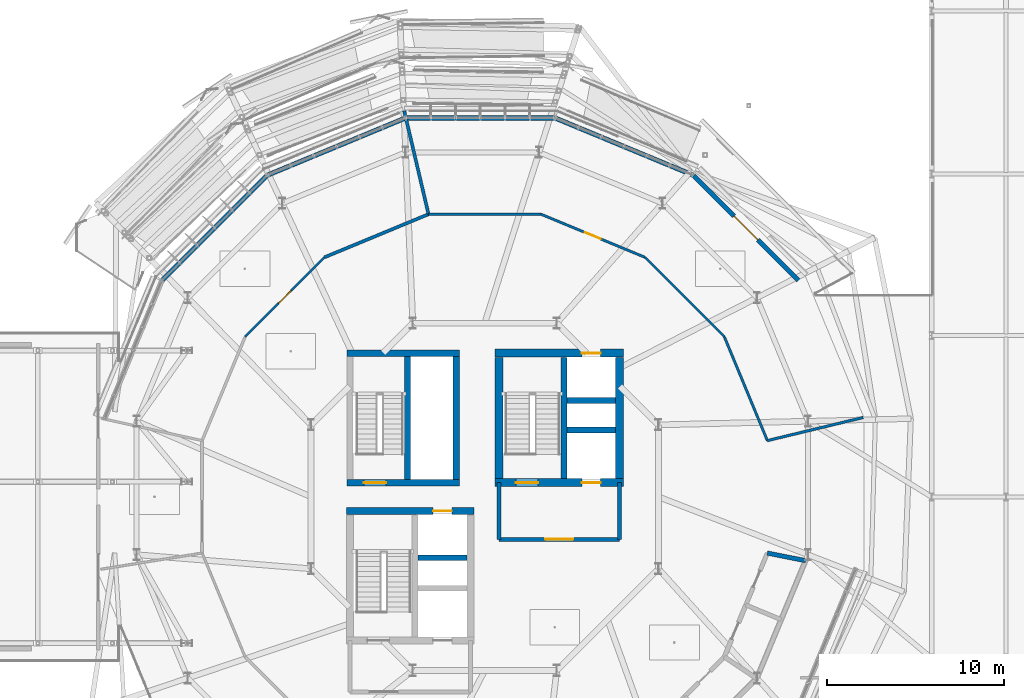
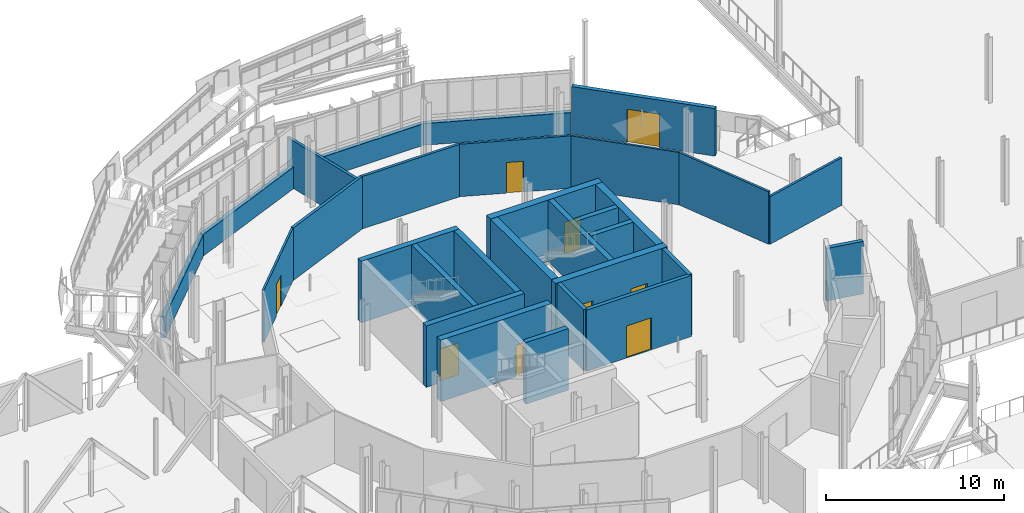
# One storey, part 105 of 139: 30 walls, 9 doors, 9 openings.
"""IFC4 building model written with IfcOpenShell, lengths in metres."""

import ifcopenshell
import ifcopenshell.guid

model = None  # the IFC model being written
_history = None  # IfcOwnerHistory: only IFC2X3 demands one
_inside = {}  # id of a spatial element -> (the spatial element, [elements in it])
_under = {}  # id of a project, library or spatial element -> (it, [spatial elements below it])
_declared = {}  # id of a project -> (the project, [libraries it declares])
_typed = {}  # id of a type object -> (the type object, [elements of that type])
_made_of = {}  # id of a material, layer set ... -> (it, [elements and type objects made of it])


def new_model(schema):
    """Start an empty IFC model of exactly this schema.

    Asked for "IFC4X3", IfcOpenShell would pick the latest addendum, in which some entities
    have other attributes; the version numbers below select the first issue.
    IFC2X3 requires an IfcOwnerHistory on every rooted entity: one is made here for all.
    """
    global model, _history
    if schema == "IFC4X3":
        model = ifcopenshell.file(schema_version=(4, 3, 0, 0))
    else:
        model = ifcopenshell.file(schema=schema)
    _inside.clear()
    _under.clear()
    _declared.clear()
    _typed.clear()
    _made_of.clear()
    _history = None
    if model.schema == "IFC2X3":
        org = make("IfcOrganization", Name="unknown")
        user = make(
            "IfcPersonAndOrganization",
            ThePerson=make("IfcPerson", FamilyName="unknown"),
            TheOrganization=org,
        )
        app = make(
            "IfcApplication",
            ApplicationDeveloper=org,
            Version="unknown",
            ApplicationFullName="unknown",
            ApplicationIdentifier="unknown",
        )
        _history = make(
            "IfcOwnerHistory",
            OwningUser=user,
            OwningApplication=app,
            ChangeAction="ADDED",
            CreationDate=0,
        )
    return model


def make(cls, **values):
    """One entity of the class cls with the attributes given. An attribute that is None is left unset."""
    return model.create_entity(
        cls, **{name: value for name, value in values.items() if value is not None}
    )


def rooted(cls, **values):
    """An entity with a GlobalId (a new one), such as an element, a storey or a relation."""
    return make(cls, GlobalId=ifcopenshell.guid.new(), OwnerHistory=_history, **values)


def si_unit(unit_type, name, prefix=None):
    """IfcSIUnit, for example si_unit("LENGTHUNIT", "METRE", prefix="MILLI")."""
    return make("IfcSIUnit", UnitType=unit_type, Prefix=prefix, Name=name)


def derived_unit(unit_type, elements):
    """IfcDerivedUnit: a product of units, each with its exponent."""
    return make(
        "IfcDerivedUnit",
        Elements=[
            make("IfcDerivedUnitElement", Unit=unit, Exponent=power)
            for unit, power in elements
        ],
        UnitType=unit_type,
    )


def assignment(units):
    """IfcUnitAssignment: the units of a project."""
    return None if units is None else make("IfcUnitAssignment", Units=units)


def point(xyz):
    """IfcCartesianPoint."""
    return None if xyz is None else make("IfcCartesianPoint", Coordinates=xyz)


def direction(xyz):
    """IfcDirection."""
    return None if xyz is None else make("IfcDirection", DirectionRatios=xyz)


def frame(location, z_axis=None, x_axis=None):
    """IfcAxis2Placement3D, a coordinate frame: its origin and axes. An axis left out is left unset."""
    return make(
        "IfcAxis2Placement3D",
        Location=point(location),
        Axis=direction(z_axis),
        RefDirection=direction(x_axis),
    )


def frame_2d(location, x_axis=None):
    """IfcAxis2Placement2D, a coordinate frame in the plane: its origin and x axis."""
    return make(
        "IfcAxis2Placement2D", Location=point(location), RefDirection=direction(x_axis)
    )


def origin():
    """The frame at (0, 0, 0) with its axes left unset."""
    return frame((0.0, 0.0, 0.0))


def place(relative_to, where):
    """IfcLocalPlacement: puts the frame where relative to a parent placement (None: the world)."""
    return make(
        "IfcLocalPlacement", PlacementRelTo=relative_to, RelativePlacement=where
    )


def context(
    kind, dimensions, precision=None, world=None, true_north=None, identifier=None
):
    """IfcGeometricRepresentationContext, for example the 3D "Model" context."""
    return make(
        "IfcGeometricRepresentationContext",
        ContextIdentifier=identifier,
        ContextType=kind,
        CoordinateSpaceDimension=dimensions,
        Precision=precision,
        WorldCoordinateSystem=world,
        TrueNorth=true_north,
    )


def subcontext(parent, identifier, kind, view, scale=None):
    """IfcGeometricRepresentationSubContext, for example "Body" below "Model"."""
    return make(
        "IfcGeometricRepresentationSubContext",
        ContextIdentifier=identifier,
        ContextType=kind,
        ParentContext=parent,
        TargetScale=scale,
        TargetView=view,
    )


def project(units=None, contexts=None):
    """IfcProject with its units and contexts."""
    return rooted(
        "IfcProject",
        Name="project",
        RepresentationContexts=contexts,
        UnitsInContext=assignment(units),
    )


def spatial(cls, under=None, at=None, **own):
    """A site, building, storey or space (cls), placed at a placement, below another one or the project."""
    s = rooted(cls, ObjectPlacement=at, **own)
    if under is not None:
        _under.setdefault(under.id(), (under, []))[1].append(s)
    return s


def profile(cls, at=None, kind="AREA", **sizes):
    """A parametric profile (cls). Its sizes go by their IFC names, for example OverallWidth=200.0."""
    return make(cls, ProfileType=kind, Position=at, **sizes)


def rectangle(**sizes):
    """IfcRectangleProfileDef."""
    return profile("IfcRectangleProfileDef", **sizes)


def extrude(swept, where, along, depth):
    """IfcExtrudedAreaSolid: the profile swept, set in the frame where, extruded along a direction by depth."""
    return make(
        "IfcExtrudedAreaSolid",
        SweptArea=swept,
        Position=where,
        ExtrudedDirection=direction(along),
        Depth=depth,
    )


def shape(context_of_items, identifier, shape_type, items):
    """IfcShapeRepresentation: the items that make up one representation, for example the "Body"."""
    return make(
        "IfcShapeRepresentation",
        ContextOfItems=context_of_items,
        RepresentationIdentifier=identifier,
        RepresentationType=shape_type,
        Items=items,
    )


def material(Name=None, Category=None):
    """IfcMaterial."""
    return make("IfcMaterial", Name=Name, Category=Category)


def layer(
    of_material, thickness, ventilated=None, Name=None, Category=None, Priority=None
):
    """IfcMaterialLayer: one layer of a wall or slab, of a material (None: an air gap)."""
    return make(
        "IfcMaterialLayer",
        Material=of_material,
        LayerThickness=thickness,
        IsVentilated=ventilated,
        Name=Name,
        Category=Category,
        Priority=Priority,
    )


def layer_set(layers, Name=None):
    """IfcMaterialLayerSet."""
    return make("IfcMaterialLayerSet", MaterialLayers=layers, LayerSetName=Name)


def made_of(thing, what):
    """Note that an element or type object is made of a material, layer set ...; save() writes the relation."""
    if what is not None:
        _made_of.setdefault(what.id(), (what, []))[1].append(thing)
    return thing


def type_object(cls, material=None, **own):
    """A type object (cls), such as IfcWallType, which elements share."""
    return made_of(rooted(cls, **own), material)


def element(
    cls,
    number,
    at=None,
    inside=None,
    cuts=None,
    type_object=None,
    material=None,
    context=None,
    identifier="Body",
    shape_type=None,
    held_by="IfcProductDefinitionShape",
    body=None,
    shapes=None,
    **own,
):
    """One element of the class cls, such as IfcWall. Its Tag is "e" and its number.

    at: its placement. inside: the storey or other place that contains it. cuts: it is an
    opening in that element (IfcRelVoidsElement). A single representation is given by context,
    identifier, shape_type and body (its items); several are given by shapes. held_by: the class
    of the entity that holds the representations. save() writes the other relations.
    """
    e = rooted(cls, Tag="e%d" % number, ObjectPlacement=at, **own)
    if body is not None:
        shapes = [shape(context, identifier, shape_type, body)]
    if shapes is not None:
        e.Representation = make(held_by, Representations=shapes)
    if inside is not None:
        _inside.setdefault(inside.id(), (inside, []))[1].append(e)
    if cuts is not None:
        rooted(
            "IfcRelVoidsElement", RelatingBuildingElement=cuts, RelatedOpeningElement=e
        )
    if type_object is not None:
        _typed.setdefault(type_object.id(), (type_object, []))[1].append(e)
    return made_of(e, material)


def fill(opening, filler):
    """IfcRelFillsElement: the door or window that sits in an opening."""
    return rooted(
        "IfcRelFillsElement",
        RelatingOpeningElement=opening,
        RelatedBuildingElement=filler,
    )


def aggregate(whole, parts):
    """IfcRelAggregates: a whole, such as a stair, and the parts it consists of."""
    return rooted("IfcRelAggregates", RelatingObject=whole, RelatedObjects=parts)


def save(model, path):
    """Write the relations noted so far, then the file.

    IfcRelAggregates (storeys below a building ...), IfcRelContainedInSpatialStructure (elements
    in a storey), IfcRelDefinesByType, IfcRelAssociatesMaterial and IfcRelDeclares: one each for
    every whole, place, type object, material and project.
    """
    for whole, parts in _under.values():
        aggregate(whole, parts)
    for where, things in _inside.values():
        rooted(
            "IfcRelContainedInSpatialStructure",
            RelatedElements=things,
            RelatingStructure=where,
        )
    for kind, things in _typed.values():
        rooted("IfcRelDefinesByType", RelatedObjects=things, RelatingType=kind)
    for what, things in _made_of.values():
        rooted("IfcRelAssociatesMaterial", RelatedObjects=things, RelatingMaterial=what)
    for by, libraries in _declared.values():
        rooted("IfcRelDeclares", RelatingContext=by, RelatedDefinitions=libraries)
    model.write(path)


model = new_model("IFC4")

# Units and contexts
model_context = context("Model", 3, precision=1e-05, world=origin(), true_north=direction((0.0, 1.0)))
body_context = subcontext(model_context, "Body", "Model", "MODEL_VIEW")
ifc_project = project(units=[si_unit("LENGTHUNIT", "METRE"), si_unit("AREAUNIT", "SQUARE_METRE"), si_unit("VOLUMEUNIT", "CUBIC_METRE"), si_unit("PLANEANGLEUNIT", "RADIAN"), si_unit("MASSUNIT", "GRAM", prefix="KILO"), derived_unit("THERMALTRANSMITTANCEUNIT", [(si_unit("MASSUNIT", "GRAM", prefix="KILO"), 1), (si_unit("TIMEUNIT", "SECOND"), -3), (si_unit("THERMODYNAMICTEMPERATUREUNIT", "KELVIN"), -1)])], contexts=[model_context])

# Site, building, storey
site_placement = place(None, origin())
site = spatial("IfcSite", under=ifc_project, at=site_placement, CompositionType="ELEMENT")
building_placement = place(site_placement, origin())
building = spatial("IfcBuilding", under=site, at=building_placement, Name="Makaiwela Harbour Ferry Terminal", CompositionType="ELEMENT")
storey_placement = place(building_placement, frame((0.0, 0.0, 5.10009765625)))
storey = spatial("IfcBuildingStorey", under=building, at=storey_placement, Name="L01", CompositionType="ELEMENT", Elevation=5.10009765625)

# Wall, opening, door
ifc_material_1 = material(Name="Precast concrete f'c 40 MPa (6000 psi)", Category="concrete")
ifc_layer_1 = layer(ifc_material_1, 0.260009765625)
ifc_layer_set_1 = layer_set([ifc_layer_1], Name="Precast concrete f'c 40 MPa (6000 psi)")
wall_type_1 = type_object("IfcWallType", Name="ENV-WL-EXT260", PredefinedType="SOLIDWALL", material=ifc_layer_set_1)
wall_1_placement = place(storey_placement, frame((55.488525390625, 79.801513671875, 0.0), z_axis=(0.0, 0.0, 1.0), x_axis=(-0.707106781187, 0.707106781187, 0.0)))
wall_1 = element("IfcWall", 1, at=wall_1_placement, inside=storey, type_object=wall_type_1, Name="Drum Exterior Wall EW-L01-01", PredefinedType="SOLIDWALL", context=body_context, shape_type="SweptSolid", body=[
    extrude(rectangle(XDim=8.367919921875, YDim=0.260009765625, at=frame_2d((4.18408203125, 0.0))), origin(), (0.0, 0.0, 1.0), 3.264892578125),
])
opening_1_placement = place(wall_1_placement, frame((3.23388671875, 0.0, 0.0)))
opening_1 = element("IfcOpeningElement", 2, at=opening_1_placement, cuts=wall_1, Name="Opening ED-06", PredefinedType="OPENING", context=body_context, shape_type="SweptSolid", body=[
    extrude(rectangle(XDim=1.89990234375, YDim=2.300048828125, at=frame_2d((0.949951171875, 1.14990234375))), frame((0.0, 0.139892578125, 0.0), z_axis=(0.0, -1.0, 0.0), x_axis=(1.0, 0.0, 0.0)), (0.0, 0.0, 1.0), 0.280029296875),
])
ifc_material_2 = material(Name="Marine anodised aluminium 6063-T6", Category="aluminium")
door_type_1 = type_object("IfcDoorType", Name="ENV-DR-TER190", OperationType="NOTDEFINED", PredefinedType="DOOR", material=ifc_material_2)
door_1_placement = place(opening_1_placement, frame((1.89990234375, 0.0, 0.0), z_axis=(0.0, 0.0, 1.0), x_axis=(-1.0, 0.0, 0.0)))
door_1 = element("IfcDoor", 3, at=door_1_placement, inside=storey, type_object=door_type_1, Name="Exterior Door ED-06", OperationType="DOUBLE_DOOR_SINGLE_SWING", OverallHeight=2.300048828125, OverallWidth=1.89990234375, PredefinedType="DOOR", context=body_context, shape_type="SweptSolid", body=[
    extrude(rectangle(XDim=1.89990234375, YDim=2.300048828125, at=frame_2d((0.949951171875, 1.14990234375))), frame((0.0, 0.02490234375, 0.0), z_axis=(0.0, -1.0, 0.0), x_axis=(1.0, 0.0, 0.0)), (0.0, 0.0, 1.0), 0.050048828125),
])
fill(opening_1, door_1)

# Walls
for number, where, z_axis, x_axis, name in (
    (4, (49.522705078125, 85.751220703125, 0.0), (0.0, 0.0, 1.0), (-0.923874237318, 0.382696215843, 0.0), "Drum Spandrel Backup Wall EW-L01-02"),
    (5, (41.73388671875, 88.965087890625, 0.0), (0.0, 0.0, 1.0), (-1.0, 0.0, 0.0), "Drum Spandrel Backup Wall EW-L01-03"),
    (6, (33.308349609375, 88.95361328125, 0.0), (0.0, 0.0, 1.0), (-0.923874237318, -0.382696215843, 0.0), "Drum Spandrel Backup Wall EW-L01-04"),
    (7, (25.528564453125, 85.718505859375, 0.0), (0.0, 0.0, 1.0), (-0.707106781187, -0.707106781187, 0.0), "Drum Spandrel Backup Wall EW-L01-05"),
):
    element("IfcWall", number, at=place(storey_placement, frame(where, z_axis=z_axis, x_axis=x_axis)), inside=storey, type_object=wall_type_1, Name=name, PredefinedType="SOLIDWALL", context=body_context, shape_type="SweptSolid", body=[
        extrude(rectangle(XDim=8.367919921875, YDim=0.260009765625, at=frame_2d((4.18408203125, 0.0))), origin(), (0.0, 0.0, 1.0), 1.47998046875),
    ])
ifc_material_3 = material(Name="Fire-rated gypsum board on steel studs", Category="steel")
ifc_layer_2 = layer(ifc_material_3, 0.1650390625)
ifc_layer_set_2 = layer_set([ifc_layer_2], Name="Fire-rated gypsum board on steel studs")
wall_type_2 = type_object("IfcWallType", Name="INT-WL-FIR165", PredefinedType="PARTITIONING", material=ifc_layer_set_2)
wall_2_placement = place(storey_placement, frame((40.97021484375, 83.537841796875, 0.0), z_axis=(0.0, 0.0, 1.0), x_axis=(-1.0, 0.0, 0.0)))
element("IfcWall", 8, at=wall_2_placement, inside=storey, type_object=wall_type_2, Name="Interior Wall IW-0270", PredefinedType="PARTITIONING", context=body_context, shape_type="SweptSolid", body=[
    extrude(rectangle(XDim=6.34033203125, YDim=0.1650390625, at=frame_2d((3.170166015625, 0.0))), origin(), (0.0, 0.0, 1.0), 3.598876953125),
])
ifc_layer_3 = layer(ifc_material_3, 0.179931640625)
ifc_layer_set_3 = layer_set([ifc_layer_3], Name="Fire-rated gypsum board on steel studs")
wall_type_3 = type_object("IfcWallType", Name="INT-WL-FIR180", PredefinedType="PARTITIONING", material=ifc_layer_set_3)
wall_3_placement = place(storey_placement, frame((34.6298828125, 83.537841796875, 0.0), z_axis=(0.0, 0.0, 1.0), x_axis=(-0.92387463456, -0.382695256851, 0.0)))
element("IfcWall", 9, at=wall_3_placement, inside=storey, type_object=wall_type_3, Name="Interior Wall IW-0271", PredefinedType="PARTITIONING", context=body_context, shape_type="SweptSolid", body=[
    extrude(rectangle(XDim=6.340576171875, YDim=0.179931640625, at=frame_2d((3.17041015625, 0.0))), origin(), (0.0, 0.0, 1.0), 3.598876953125),
])
wall_4_placement = place(storey_placement, frame((34.6298828125, 83.537841796875, 0.0), z_axis=(0.0, 0.0, 1.0), x_axis=(-0.22938241042, 0.973336380595, 0.0)))
element("IfcWall", 10, at=wall_4_placement, inside=storey, type_object=wall_type_3, Name="Interior Wall IW-0292", PredefinedType="PARTITIONING", context=body_context, shape_type="SweptSolid", body=[
    extrude(rectangle(XDim=5.989013671875, YDim=0.179931640625, at=frame_2d((2.99462890625, 0.0))), origin(), (0.0, 0.0, 1.0), 3.264892578125),
])

# Wall, opening, door
ifc_layer_4 = layer(ifc_material_3, 0.239990234375)
ifc_layer_set_4 = layer_set([ifc_layer_4], Name="Fire-rated gypsum board on steel studs")
wall_type_4 = type_object("IfcWallType", Name="INT-WL-FIR240", PredefinedType="SOLIDWALL", material=ifc_layer_set_4)
wall_5_placement = place(storey_placement, frame((38.60009765625, 65.199951171875, 0.0), z_axis=(0.0, 0.0, 1.0), x_axis=(1.0, 0.0, 0.0)))
wall_5 = element("IfcWall", 11, at=wall_5_placement, inside=storey, type_object=wall_type_4, Name="Interior Wall IW-0011", PredefinedType="SOLIDWALL", context=body_context, shape_type="SweptSolid", body=[
    extrude(rectangle(XDim=6.7998046875, YDim=0.239990234375, at=frame_2d((3.39990234375, 0.0))), origin(), (0.0, 0.0, 1.0), 4.199951171875),
])
opening_2_placement = place(wall_5_placement, frame((2.60009765625, 0.0, 0.0)))
opening_2 = element("IfcOpeningElement", 12, at=opening_2_placement, cuts=wall_5, Name="Opening D-03", PredefinedType="OPENING", context=body_context, shape_type="SweptSolid", body=[
    extrude(rectangle(XDim=1.60009765625, YDim=2.199951171875, at=frame_2d((0.800048828125, 1.10009765625))), frame((0.0, 0.1298828125, 0.0), z_axis=(0.0, -1.0, 0.0), x_axis=(1.0, 0.0, 0.0)), (0.0, 0.0, 1.0), 0.260009765625),
])
ifc_material_4 = material(Name="Insulated galvanised fire-rated steel leaf and frame", Category="steel")
door_type_2 = type_object("IfcDoorType", Name="INT-DR-FFL160", OperationType="NOTDEFINED", PredefinedType="DOOR", material=ifc_material_4)
door_2_placement = place(opening_2_placement, frame((1.60009765625, 0.0, 0.0), z_axis=(0.0, 0.0, 1.0), x_axis=(-1.0, 0.0, 0.0)))
door_2 = element("IfcDoor", 13, at=door_2_placement, inside=storey, type_object=door_type_2, Name="Door D-03", OperationType="DOUBLE_DOOR_SINGLE_SWING", OverallHeight=2.199951171875, OverallWidth=1.60009765625, PredefinedType="DOOR", context=body_context, shape_type="SweptSolid", body=[
    extrude(rectangle(XDim=1.60009765625, YDim=2.199951171875, at=frame_2d((0.800048828125, 1.10009765625))), frame((0.0, 0.02490234375, 0.0), z_axis=(0.0, -1.0, 0.0), x_axis=(1.0, 0.0, 0.0)), (0.0, 0.0, 1.0), 0.050048828125),
])
fill(opening_2, door_2)

# Walls
for number, where, z_axis, x_axis, name in (
    (14, (38.60009765625, 68.39990234375, 0.0), (0.0, 0.0, 1.0), (0.0, -1.0, 0.0), "Interior Wall IW-0012"),
    (15, (45.39990234375, 65.199951171875, 0.0), (0.0, 0.0, 1.0), (0.0, 1.0, 0.0), "Interior Wall IW-0013"),
):
    element("IfcWall", number, at=place(storey_placement, frame(where, z_axis=z_axis, x_axis=x_axis)), inside=storey, type_object=wall_type_4, Name=name, PredefinedType="SOLIDWALL", context=body_context, shape_type="SweptSolid", body=[
        extrude(rectangle(XDim=3.199951171875, YDim=0.239990234375, at=frame_2d((1.60009765625, 0.0))), origin(), (0.0, 0.0, 1.0), 4.199951171875),
    ])
ifc_material_5 = material(Name="Moisture-resistant acoustic gypsum partition", Category="gypsum")
ifc_layer_5 = layer(ifc_material_5, 0.25)
ifc_layer_set_5 = layer_set([ifc_layer_5], Name="Moisture-resistant acoustic gypsum partition")
wall_type_5 = type_object("IfcWallType", Name="INT-WL-PLM250", PredefinedType="PLUMBINGWALL", material=ifc_layer_set_5)
wall_6_placement = place(storey_placement, frame((53.73779296875, 64.4296875, 0.0), z_axis=(0.0, 0.0, 1.0), x_axis=(0.98078501504, -0.195091656081, 0.0)))
element("IfcWall", 16, at=wall_6_placement, inside=storey, type_object=wall_type_5, Name="Interior Wall IW-0290", PredefinedType="PLUMBINGWALL", context=body_context, shape_type="SweptSolid", body=[
    extrude(rectangle(XDim=2.199951171875, YDim=0.25, at=frame_2d((1.10009765625, 0.0))), origin(), (0.0, 0.0, 1.0), 3.598876953125),
])
ifc_layer_6 = layer(ifc_material_5, 0.1201171875)
ifc_layer_set_6 = layer_set([ifc_layer_6], Name="Moisture-resistant acoustic gypsum partition")
wall_type_6 = type_object("IfcWallType", Name="INT-WL-PRT120", PredefinedType="PARTITIONING", material=ifc_layer_set_6)
wall_7_placement = place(storey_placement, frame((51.311279296875, 76.6279296875, 0.0), z_axis=(0.0, 0.0, 1.0), x_axis=(-0.707106781187, 0.707106781187, 0.0)))
element("IfcWall", 17, at=wall_7_placement, inside=storey, type_object=wall_type_6, Name="Interior Wall IW-0268", PredefinedType="PARTITIONING", context=body_context, shape_type="SweptSolid", body=[
    extrude(rectangle(XDim=6.340576171875, YDim=0.1201171875, at=frame_2d((3.17041015625, 0.0))), origin(), (0.0, 0.0, 1.0), 3.598876953125),
])

# Wall, opening, door
wall_8_placement = place(storey_placement, frame((28.77197265625, 81.111328125, 0.0), z_axis=(0.0, 0.0, 1.0), x_axis=(-0.707106781187, -0.707106781187, 0.0)))
wall_8 = element("IfcWall", 18, at=wall_8_placement, inside=storey, type_object=wall_type_6, Name="Interior Wall IW-0272", PredefinedType="PARTITIONING", context=body_context, shape_type="SweptSolid", body=[
    extrude(rectangle(XDim=6.340576171875, YDim=0.1201171875, at=frame_2d((3.17041015625, 0.0))), origin(), (0.0, 0.0, 1.0), 3.598876953125),
])
opening_3_placement = place(wall_8_placement, frame((2.670166015625, 0.0, 0.0)))
opening_3 = element("IfcOpeningElement", 19, at=opening_3_placement, cuts=wall_8, Name="Opening D-09", PredefinedType="OPENING", context=body_context, shape_type="SweptSolid", body=[
    extrude(rectangle(XDim=1.0, YDim=2.14990234375, at=frame_2d((0.5, 1.074951171875))), frame((0.0, 0.070068359375, 0.0), z_axis=(0.0, -1.0, 0.0), x_axis=(1.0, 0.0, 0.0)), (0.0, 0.0, 1.0), 0.14013671875),
])
ifc_material_6 = material(Name="Solid-core marine hardwood and painted steel frame", Category="steel")
door_type_3 = type_object("IfcDoorType", Name="INT-DR-RM100", OperationType="NOTDEFINED", PredefinedType="DOOR", material=ifc_material_6)
door_3_placement = place(opening_3_placement, frame((1.0, 0.0, 0.0), z_axis=(0.0, 0.0, 1.0), x_axis=(-1.0, 0.0, 0.0)))
door_3 = element("IfcDoor", 20, at=door_3_placement, inside=storey, type_object=door_type_3, Name="Door D-09", OperationType="SINGLE_SWING_RIGHT", OverallHeight=2.14990234375, OverallWidth=1.0, PredefinedType="DOOR", context=body_context, shape_type="SweptSolid", body=[
    extrude(rectangle(XDim=1.0, YDim=2.14990234375, at=frame_2d((0.5, 1.074951171875))), frame((0.0, 0.02490234375, 0.0), z_axis=(0.0, -1.0, 0.0), x_axis=(1.0, 0.0, 0.0)), (0.0, 0.0, 1.0), 0.050048828125),
])
fill(opening_3, door_3)

# Wall
ifc_layer_7 = layer(ifc_material_5, 0.139892578125)
ifc_layer_set_7 = layer_set([ifc_layer_7], Name="Moisture-resistant acoustic gypsum partition")
wall_type_7 = type_object("IfcWallType", Name="INT-WL-PRT140", PredefinedType="PARTITIONING", material=ifc_layer_set_7)
wall_9_placement = place(storey_placement, frame((53.73779296875, 70.770263671875, 0.0), z_axis=(0.0, 0.0, 1.0), x_axis=(-0.382708871005, 0.923868995071, 0.0)))
element("IfcWall", 21, at=wall_9_placement, inside=storey, type_object=wall_type_7, Name="Interior Wall IW-0267", PredefinedType="PARTITIONING", context=body_context, shape_type="SweptSolid", body=[
    extrude(rectangle(XDim=6.34033203125, YDim=0.139892578125, at=frame_2d((3.170166015625, 0.0))), origin(), (0.0, 0.0, 1.0), 3.598876953125),
])

# Wall, opening, door
wall_10_placement = place(storey_placement, frame((46.827880859375, 81.111328125, 0.0), z_axis=(0.0, 0.0, 1.0), x_axis=(-0.923868995071, 0.382708871005, 0.0)))
wall_10 = element("IfcWall", 22, at=wall_10_placement, inside=storey, type_object=wall_type_7, Name="Interior Wall IW-0269", PredefinedType="PARTITIONING", context=body_context, shape_type="SweptSolid", body=[
    extrude(rectangle(XDim=6.34033203125, YDim=0.139892578125, at=frame_2d((3.170166015625, 0.0))), origin(), (0.0, 0.0, 1.0), 3.598876953125),
])
opening_4_placement = place(wall_10_placement, frame((2.6953125, 0.0, 0.0)))
opening_4 = element("IfcOpeningElement", 23, at=opening_4_placement, cuts=wall_10, Name="Opening D-08", PredefinedType="OPENING", context=body_context, shape_type="SweptSolid", body=[
    extrude(rectangle(XDim=0.949951171875, YDim=2.10009765625, at=frame_2d((0.47509765625, 1.050048828125))), frame((0.0, 0.079833984375, 0.0), z_axis=(0.0, -1.0, 0.0), x_axis=(1.0, 0.0, 0.0)), (0.0, 0.0, 1.0), 0.159912109375),
])
door_type_4 = type_object("IfcDoorType", Name="INT-DR-RM095", OperationType="NOTDEFINED", PredefinedType="DOOR", material=ifc_material_6)
door_4_placement = place(opening_4_placement, frame((0.949951171875, 0.0, 0.0), z_axis=(0.0, 0.0, 1.0), x_axis=(-1.0, 0.0, 0.0)))
door_4 = element("IfcDoor", 24, at=door_4_placement, inside=storey, type_object=door_type_4, Name="Door D-08", OperationType="SINGLE_SWING_LEFT", OverallHeight=2.10009765625, OverallWidth=0.949951171875, PredefinedType="DOOR", context=body_context, shape_type="SweptSolid", body=[
    extrude(rectangle(XDim=0.949951171875, YDim=2.10009765625, at=frame_2d((0.47509765625, 1.050048828125))), frame((0.0, 0.02490234375, 0.0), z_axis=(0.0, -1.0, 0.0), x_axis=(1.0, 0.0, 0.0)), (0.0, 0.0, 1.0), 0.050048828125),
])
fill(opening_4, door_4)

# Walls
ifc_layer_8 = layer(ifc_material_5, 0.14990234375)
ifc_layer_set_8 = layer_set([ifc_layer_8], Name="Moisture-resistant acoustic gypsum partition")
wall_type_8 = type_object("IfcWallType", Name="INT-WL-PRT150", PredefinedType="PARTITIONING", material=ifc_layer_set_8)
wall_11_placement = place(storey_placement, frame((53.73779296875, 70.770263671875, 0.0), z_axis=(0.0, 0.0, 1.0), x_axis=(0.972065612632, 0.23470927706, 0.0)))
element("IfcWall", 25, at=wall_11_placement, inside=storey, type_object=wall_type_8, Name="Interior Wall IW-0291", PredefinedType="PARTITIONING", context=body_context, shape_type="SweptSolid", body=[
    extrude(rectangle(XDim=5.5546875, YDim=0.14990234375, at=frame_2d((2.77734375, 0.0))), origin(), (0.0, 0.0, 1.0), 3.264892578125),
])
ifc_material_7 = material(Name="Concrete f'c 45 MPa (6500 psi)", Category="concrete")
ifc_layer_9 = layer(ifc_material_7, 0.320068359375)
ifc_layer_set_9 = layer_set([ifc_layer_9], Name="Concrete f'c 45 MPa (6500 psi)")
wall_type_9 = type_object("IfcWallType", Name="INT-WL-SHR320", PredefinedType="SHEAR", material=ifc_layer_set_9)
wall_12_placement = place(storey_placement, frame((42.27197265625, 68.635009765625, 0.0), z_axis=(0.0, 0.0, 1.0), x_axis=(0.0, 1.0, 0.0)))
element("IfcWall", 26, at=wall_12_placement, inside=storey, type_object=wall_type_9, Name="Interior Wall IW-0018", PredefinedType="SHEAR", context=body_context, shape_type="SweptSolid", body=[
    extrude(rectangle(XDim=6.830078125, YDim=0.320068359375, at=frame_2d((3.4150390625, 0.0))), origin(), (0.0, 0.0, 1.0), 4.219970703125),
])
for number, where, z_axis, x_axis, name in (
    (27, (42.43701171875, 71.364990234375, 0.0), (0.0, 0.0, 1.0), (1.0, 0.0, 0.0), "Interior Wall IW-0019"),
    (28, (42.43701171875, 73.034912109375, 0.0), (0.0, 0.0, 1.0), (1.0, 0.0, 0.0), "Interior Wall IW-0020"),
):
    element("IfcWall", number, at=place(storey_placement, frame(where, z_axis=z_axis, x_axis=x_axis)), inside=storey, type_object=wall_type_9, Name=name, PredefinedType="SHEAR", context=body_context, shape_type="SweptSolid", body=[
        extrude(rectangle(XDim=2.73291015625, YDim=0.320068359375, at=frame_2d((1.366455078125, 0.0))), origin(), (0.0, 0.0, 1.0), 4.219970703125),
    ])
wall_13_placement = place(storey_placement, frame((34.037109375, 64.159912109375, 0.0), z_axis=(0.0, 0.0, 1.0), x_axis=(1.0, 0.0, 0.0)))
element("IfcWall", 29, at=wall_13_placement, inside=storey, type_object=wall_type_9, Name="Interior Wall IW-0084", PredefinedType="SHEAR", context=body_context, shape_type="SweptSolid", body=[
    extrude(rectangle(XDim=2.7578125, YDim=0.320068359375, at=frame_2d((1.37890625, 0.0))), origin(), (0.0, 0.0, 1.0), 4.219970703125),
])
wall_14_placement = place(storey_placement, frame((33.43994140625, 68.590087890625, 0.0), z_axis=(0.0, 0.0, 1.0), x_axis=(0.0, 1.0, 0.0)))
element("IfcWall", 30, at=wall_14_placement, inside=storey, type_object=wall_type_9, Name="Interior Wall IW-0141", PredefinedType="SHEAR", context=body_context, shape_type="SweptSolid", body=[
    extrude(rectangle(XDim=6.919921875, YDim=0.320068359375, at=frame_2d((3.4599609375, 0.0))), origin(), (0.0, 0.0, 1.0), 4.219970703125),
])

# Wall, opening, door
ifc_layer_10 = layer(ifc_material_7, 0.360107421875)
ifc_layer_set_10 = layer_set([ifc_layer_10], Name="Concrete f'c 45 MPa (6500 psi)")
wall_type_10 = type_object("IfcWallType", Name="INT-WL-SHR360", PredefinedType="SHEAR", material=ifc_layer_set_10)
wall_15_placement = place(storey_placement, frame((30.02001953125, 68.39990234375, 0.0), z_axis=(0.0, 0.0, 1.0), x_axis=(1.0, 0.0, 0.0)))
wall_15 = element("IfcWall", 31, at=wall_15_placement, inside=storey, type_object=wall_type_10, Name="Interior Wall IW-0137", PredefinedType="SHEAR", context=body_context, shape_type="SweptSolid", body=[
    extrude(rectangle(XDim=6.35986328125, YDim=0.360107421875, at=frame_2d((3.179931640625, 0.0))), origin(), (0.0, 0.0, 1.0), 4.219970703125),
])
opening_5_placement = place(wall_15_placement, frame((0.965087890625, 0.0, 0.0)))
opening_5 = element("IfcOpeningElement", 32, at=opening_5_placement, cuts=wall_15, Name="Opening D-02", PredefinedType="OPENING", context=body_context, shape_type="SweptSolid", body=[
    extrude(rectangle(XDim=1.25, YDim=2.199951171875, at=frame_2d((0.625, 1.10009765625))), frame((0.0, 0.18994140625, 0.0), z_axis=(0.0, -1.0, 0.0), x_axis=(1.0, 0.0, 0.0)), (0.0, 0.0, 1.0), 0.380126953125),
])
door_type_5 = type_object("IfcDoorType", Name="INT-DR-ST125", OperationType="NOTDEFINED", PredefinedType="DOOR", material=ifc_material_4)
door_5_placement = place(opening_5_placement, frame((1.25, 0.0, 0.0), z_axis=(0.0, 0.0, 1.0), x_axis=(-1.0, 0.0, 0.0)))
door_5 = element("IfcDoor", 33, at=door_5_placement, inside=storey, type_object=door_type_5, Name="Door D-02", OperationType="SINGLE_SWING_LEFT", OverallHeight=2.199951171875, OverallWidth=1.25, PredefinedType="DOOR", context=body_context, shape_type="SweptSolid", body=[
    extrude(rectangle(XDim=1.25, YDim=2.199951171875, at=frame_2d((0.625, 1.10009765625))), frame((0.0, 0.02490234375, 0.0), z_axis=(0.0, -1.0, 0.0), x_axis=(1.0, 0.0, 0.0)), (0.0, 0.0, 1.0), 0.050048828125),
])
fill(opening_5, door_5)

# Walls
wall_16_placement = place(storey_placement, frame((30.02001953125, 75.699951171875, 0.0), z_axis=(0.0, 0.0, 1.0), x_axis=(1.0, 0.0, 0.0)))
element("IfcWall", 34, at=wall_16_placement, inside=storey, type_object=wall_type_10, Name="Interior Wall IW-0138", PredefinedType="SHEAR", context=body_context, shape_type="SweptSolid", body=[
    extrude(rectangle(XDim=6.35986328125, YDim=0.360107421875, at=frame_2d((3.179931640625, 0.0))), origin(), (0.0, 0.0, 1.0), 4.219970703125),
])
wall_17_placement = place(storey_placement, frame((36.199951171875, 68.590087890625, 0.0), z_axis=(0.0, 0.0, 1.0), x_axis=(0.0, 1.0, 0.0)))
element("IfcWall", 35, at=wall_17_placement, inside=storey, type_object=wall_type_10, Name="Interior Wall IW-0140", PredefinedType="SHEAR", context=body_context, shape_type="SweptSolid", body=[
    extrude(rectangle(XDim=6.919921875, YDim=0.360107421875, at=frame_2d((3.4599609375, 0.0))), origin(), (0.0, 0.0, 1.0), 4.219970703125),
])

# Wall, opening, door
ifc_layer_11 = layer(ifc_material_7, 0.39990234375)
ifc_layer_set_11 = layer_set([ifc_layer_11], Name="Concrete f'c 45 MPa (6500 psi)")
wall_type_11 = type_object("IfcWallType", Name="INT-WL-SHR400", PredefinedType="SHEAR", material=ifc_layer_set_11)
wall_18_placement = place(storey_placement, frame((30.0, 66.800048828125, 0.0), z_axis=(0.0, 0.0, 1.0), x_axis=(1.0, 0.0, 0.0)))
wall_18 = element("IfcWall", 36, at=wall_18_placement, inside=storey, type_object=wall_type_11, Name="Interior Wall IW-0079", PredefinedType="SHEAR", context=body_context, shape_type="SweptSolid", body=[
    extrude(rectangle(XDim=7.199951171875, YDim=0.39990234375, at=frame_2d((3.60009765625, 0.0))), origin(), (0.0, 0.0, 1.0), 4.219970703125),
])
opening_6_placement = place(wall_18_placement, frame((4.890869140625, 0.0, 0.0)))
opening_6 = element("IfcOpeningElement", 37, at=opening_6_placement, cuts=wall_18, Name="Opening LD-01", PredefinedType="OPENING", context=body_context, shape_type="SweptSolid", body=[
    extrude(rectangle(XDim=1.050048828125, YDim=2.14990234375, at=frame_2d((0.52490234375, 1.074951171875))), frame((0.0, 0.2099609375, 0.0), z_axis=(0.0, -1.0, 0.0), x_axis=(1.0, 0.0, 0.0)), (0.0, 0.0, 1.0), 0.419921875),
])
ifc_material_8 = material(Name="Marine grade 316L brushed stainless steel", Category="steel")
door_type_6 = type_object("IfcDoorType", Name="INT-DR-LD105", OperationType="NOTDEFINED", PredefinedType="DOOR", material=ifc_material_8)
door_6_placement = place(opening_6_placement, origin())
door_6 = element("IfcDoor", 38, at=door_6_placement, inside=storey, type_object=door_type_6, Name="Door LD-01", OperationType="DOUBLE_DOOR_SLIDING", OverallHeight=2.14990234375, OverallWidth=1.050048828125, PredefinedType="DOOR", context=body_context, shape_type="SweptSolid", body=[
    extrude(rectangle(XDim=1.050048828125, YDim=2.14990234375, at=frame_2d((0.52490234375, 1.074951171875))), frame((0.0, 0.02490234375, 0.0), z_axis=(0.0, -1.0, 0.0), x_axis=(1.0, 0.0, 0.0)), (0.0, 0.0, 1.0), 0.050048828125),
])
fill(opening_6, door_6)

# Wall, openings, doors
ifc_layer_12 = layer(ifc_material_7, 0.449951171875)
ifc_layer_set_12 = layer_set([ifc_layer_12], Name="Concrete f'c 45 MPa (6500 psi)")
wall_type_12 = type_object("IfcWallType", Name="INT-WL-SHR450", PredefinedType="SHEAR", material=ifc_layer_set_12)
wall_19_placement = place(storey_placement, frame((38.375, 68.39990234375, 0.0), z_axis=(0.0, 0.0, 1.0), x_axis=(1.0, 0.0, 0.0)))
wall_19 = element("IfcWall", 39, at=wall_19_placement, inside=storey, type_object=wall_type_12, Name="Interior Wall IW-0014", PredefinedType="SHEAR", context=body_context, shape_type="SweptSolid", body=[
    extrude(rectangle(XDim=7.25, YDim=0.449951171875, at=frame_2d((3.625, 0.0))), origin(), (0.0, 0.0, 1.0), 4.219970703125),
])
opening_7_placement = place(wall_19_placement, frame((1.1875, 0.0, 0.0)))
opening_7 = element("IfcOpeningElement", 40, at=opening_7_placement, cuts=wall_19, Name="Opening D-02", PredefinedType="OPENING", context=body_context, shape_type="SweptSolid", body=[
    extrude(rectangle(XDim=1.25, YDim=2.199951171875, at=frame_2d((0.625, 1.10009765625))), frame((0.0, 0.23486328125, 0.0), z_axis=(0.0, -1.0, 0.0), x_axis=(1.0, 0.0, 0.0)), (0.0, 0.0, 1.0), 0.469970703125),
])
opening_8_placement = place(wall_19_placement, frame((4.90380859375, 0.0, 0.0)))
opening_8 = element("IfcOpeningElement", 41, at=opening_8_placement, cuts=wall_19, Name="Opening LD-01", PredefinedType="OPENING", context=body_context, shape_type="SweptSolid", body=[
    extrude(rectangle(XDim=1.050048828125, YDim=2.14990234375, at=frame_2d((0.52490234375, 1.074951171875))), frame((0.0, 0.23486328125, 0.0), z_axis=(0.0, -1.0, 0.0), x_axis=(1.0, 0.0, 0.0)), (0.0, 0.0, 1.0), 0.469970703125),
])
door_7_placement = place(opening_8_placement, frame((1.050048828125, 0.0, 0.0), z_axis=(0.0, 0.0, 1.0), x_axis=(-1.0, 0.0, 0.0)))
door_7 = element("IfcDoor", 42, at=door_7_placement, inside=storey, type_object=door_type_6, Name="Door LD-01", OperationType="DOUBLE_DOOR_SLIDING", OverallHeight=2.14990234375, OverallWidth=1.050048828125, PredefinedType="DOOR", context=body_context, shape_type="SweptSolid", body=[
    extrude(rectangle(XDim=1.050048828125, YDim=2.14990234375, at=frame_2d((0.52490234375, 1.074951171875))), frame((0.0, 0.02490234375, 0.0), z_axis=(0.0, -1.0, 0.0), x_axis=(1.0, 0.0, 0.0)), (0.0, 0.0, 1.0), 0.050048828125),
])
fill(opening_8, door_7)
door_8_placement = place(opening_7_placement, frame((1.25, 0.0, 0.0), z_axis=(0.0, 0.0, 1.0), x_axis=(-1.0, 0.0, 0.0)))
door_8 = element("IfcDoor", 43, at=door_8_placement, inside=storey, type_object=door_type_5, Name="Door D-02", OperationType="SINGLE_SWING_RIGHT", OverallHeight=2.199951171875, OverallWidth=1.25, PredefinedType="DOOR", context=body_context, shape_type="SweptSolid", body=[
    extrude(rectangle(XDim=1.25, YDim=2.199951171875, at=frame_2d((0.625, 1.10009765625))), frame((0.0, 0.02490234375, 0.0), z_axis=(0.0, -1.0, 0.0), x_axis=(1.0, 0.0, 0.0)), (0.0, 0.0, 1.0), 0.050048828125),
])
fill(opening_7, door_8)

# Wall, opening, door
wall_20_placement = place(storey_placement, frame((38.375, 75.699951171875, 0.0), z_axis=(0.0, 0.0, 1.0), x_axis=(1.0, 0.0, 0.0)))
wall_20 = element("IfcWall", 44, at=wall_20_placement, inside=storey, type_object=wall_type_12, Name="Interior Wall IW-0015", PredefinedType="SHEAR", context=body_context, shape_type="SweptSolid", body=[
    extrude(rectangle(XDim=7.25, YDim=0.449951171875, at=frame_2d((3.625, 0.0))), origin(), (0.0, 0.0, 1.0), 4.219970703125),
])
opening_9_placement = place(wall_20_placement, frame((4.90380859375, 0.0, 0.0)))
opening_9 = element("IfcOpeningElement", 45, at=opening_9_placement, cuts=wall_20, Name="Opening LD-01", PredefinedType="OPENING", context=body_context, shape_type="SweptSolid", body=[
    extrude(rectangle(XDim=1.050048828125, YDim=2.14990234375, at=frame_2d((0.52490234375, 1.074951171875))), frame((0.0, 0.23486328125, 0.0), z_axis=(0.0, -1.0, 0.0), x_axis=(1.0, 0.0, 0.0)), (0.0, 0.0, 1.0), 0.469970703125),
])
door_9_placement = place(opening_9_placement, origin())
door_9 = element("IfcDoor", 46, at=door_9_placement, inside=storey, type_object=door_type_6, Name="Door LD-01", OperationType="DOUBLE_DOOR_SLIDING", OverallHeight=2.14990234375, OverallWidth=1.050048828125, PredefinedType="DOOR", context=body_context, shape_type="SweptSolid", body=[
    extrude(rectangle(XDim=1.050048828125, YDim=2.14990234375, at=frame_2d((0.52490234375, 1.074951171875))), frame((0.0, 0.02490234375, 0.0), z_axis=(0.0, -1.0, 0.0), x_axis=(1.0, 0.0, 0.0)), (0.0, 0.0, 1.0), 0.050048828125),
])
fill(opening_9, door_9)

# Walls
for number, where, z_axis, x_axis, name in (
    (47, (38.60009765625, 68.635009765625, 0.0), (0.0, 0.0, 1.0), (0.0, 1.0, 0.0), "Interior Wall IW-0016"),
    (48, (45.39990234375, 68.635009765625, 0.0), (0.0, 0.0, 1.0), (0.0, 1.0, 0.0), "Interior Wall IW-0017"),
):
    element("IfcWall", number, at=place(storey_placement, frame(where, z_axis=z_axis, x_axis=x_axis)), inside=storey, type_object=wall_type_12, Name=name, PredefinedType="SHEAR", context=body_context, shape_type="SweptSolid", body=[
        extrude(rectangle(XDim=6.830078125, YDim=0.449951171875, at=frame_2d((3.4150390625, 0.0))), origin(), (0.0, 0.0, 1.0), 4.219970703125),
    ])

save(model, "model.ifc")
